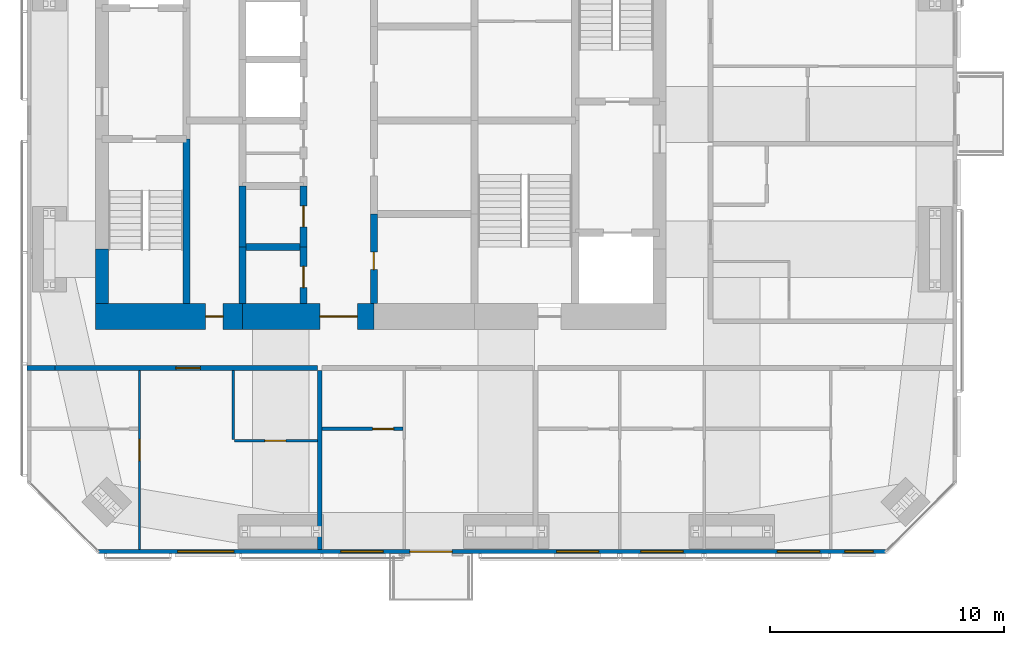
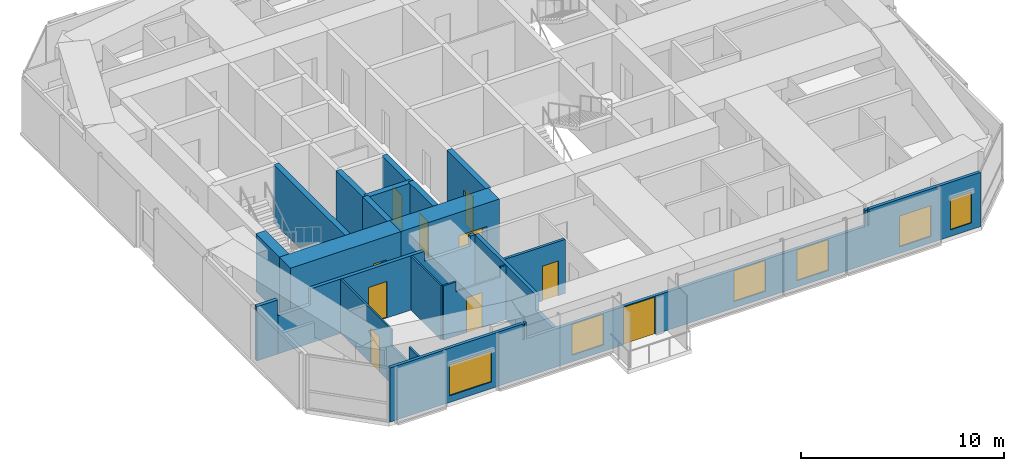
# One storey, part 12 of 18: 18 walls, 10 doors, 6 windows, 16 openings.
"""IFC4 building model written with IfcOpenShell, lengths in metres."""

from ifc_helpers import new_model, si_unit, direction, frame, frame_2d, origin, place, context, subcontext, project, spatial, polyline, rectangle, outline, extrude, material, layer, layer_set, constituent, constituent_set, type_object, element, fill, save


model = new_model("IFC4")

# Units and contexts
model_context = context("Model", 3, precision=1e-05, world=origin(), true_north=direction((0.0, 1.0)))
body_context = subcontext(model_context, "Body", "Model", "MODEL_VIEW")
ifc_project = project(units=[si_unit("LENGTHUNIT", "METRE"), si_unit("AREAUNIT", "SQUARE_METRE"), si_unit("VOLUMEUNIT", "CUBIC_METRE"), si_unit("PLANEANGLEUNIT", "RADIAN"), si_unit("MASSUNIT", "GRAM", prefix="KILO")], contexts=[model_context])

# Site, building, storey
site_placement = place(None, origin())
site = spatial("IfcSite", under=ifc_project, at=site_placement, CompositionType="ELEMENT")
building_placement = place(site_placement, origin())
building = spatial("IfcBuilding", under=site, at=building_placement, Name="Jalousie Tower", CompositionType="ELEMENT")
storey_placement = place(building_placement, frame((0.0, 0.0, 228.449951171875)))
storey = spatial("IfcBuildingStorey", under=building, at=storey_placement, Name="L62", CompositionType="ELEMENT", Elevation=228.449951171875)

# Wall, opening, door
ifc_material_1 = material(Name="Concrete block ASTM C90", Category="concrete")
ifc_constituent_1 = constituent(ifc_material_1, Name="Body")
ifc_material_2 = material(Name="Render")
ifc_constituent_2 = constituent(ifc_material_2, Name="Finish")
ifc_constituent_set_1 = constituent_set(constituents=[ifc_constituent_1, ifc_constituent_2])
wall_type_1 = type_object("IfcWallType", Name="BATHROOM WALL 150", PredefinedType="PLUMBINGWALL", material=ifc_constituent_set_1)
wall_1_placement = place(storey_placement, frame((29.39990234375, 5.324951171875, 0.0), z_axis=(0.0, 0.0, 1.0), x_axis=(1.0, 0.0, 0.0)))
wall_1 = element("IfcWall", 1, at=wall_1_placement, inside=storey, type_object=wall_type_1, Name="Bathroom Wall 150 L62", PredefinedType="PLUMBINGWALL", context=body_context, shape_type="SweptSolid", body=[
    extrude(rectangle(XDim=3.4501953125, YDim=0.14990234375, at=frame_2d((1.72509765625, 0.0))), origin(), (0.0, 0.0, 1.0), 3.260009765625),
])
opening_1_placement = place(wall_1_placement, frame((2.14990234375, 0.0, 0.0)))
opening_1 = element("IfcOpeningElement", 2, at=opening_1_placement, cuts=wall_1, Name="Opening D3", PredefinedType="OPENING", context=body_context, shape_type="SweptSolid", body=[
    extrude(rectangle(XDim=0.89990234375, YDim=2.10009765625, at=frame_2d((0.449951171875, 1.050048828125))), frame((0.0, 0.0849609375, 0.0), z_axis=(0.0, -1.0, 0.0), x_axis=(1.0, 0.0, 0.0)), (0.0, 0.0, 1.0), 0.169921875),
])
ifc_material_3 = material(Name="Timber door", Category="wood")
door_type_1 = type_object("IfcDoorType", Name="BATHROOM DOOR 900", OperationType="SINGLE_SWING_LEFT", PredefinedType="DOOR", material=ifc_material_3)
door_1_placement = place(opening_1_placement, origin())
door_1 = element("IfcDoor", 3, at=door_1_placement, inside=storey, type_object=door_type_1, Name="Apartment 6202 bedroom 1 bathroom door", OperationType="SINGLE_SWING_RIGHT", OverallHeight=2.10009765625, OverallWidth=0.89990234375, PredefinedType="DOOR", context=body_context, shape_type="SweptSolid", body=[
    extrude(rectangle(XDim=0.89990234375, YDim=2.10009765625, at=frame_2d((0.449951171875, 1.050048828125))), frame((0.0, 0.02490234375, 0.0), z_axis=(0.0, -1.0, 0.0), x_axis=(1.0, 0.0, 0.0)), (0.0, 0.0, 1.0), 0.050048828125),
])
fill(opening_1, door_1)

ifc_material_4 = material(Name="Concrete f'c 120 MPa", Category="concrete")
ifc_layer_1 = layer(ifc_material_4, 1.10009765625)
ifc_layer_set_1 = layer_set([ifc_layer_1], Name="Concrete f'c 120 MPa")
wall_type_2 = type_object("IfcWallType", Name="CORE WALL 1100", PredefinedType="SHEAR", material=ifc_layer_set_1)
wall_2_placement = place(storey_placement, frame((19.72509765625, 10.125, 0.0), z_axis=(0.0, 0.0, 1.0), x_axis=(1.0, 0.0, 0.0)))
wall_2 = element("IfcWall", 4, at=wall_2_placement, inside=storey, type_object=wall_type_2, Name="Core wall SA L62", PredefinedType="SHEAR", context=body_context, shape_type="SweptSolid", body=[
    extrude(rectangle(XDim=6.27490234375, YDim=1.10009765625, at=frame_2d((3.137451171875, 0.0))), origin(), (0.0, 0.0, 1.0), 3.5),
])
opening_2_placement = place(wall_2_placement, frame((4.699951171875, 0.0, 0.0)))
opening_2 = element("IfcOpeningElement", 5, at=opening_2_placement, cuts=wall_2, Name="Opening D16", PredefinedType="OPENING", context=body_context, shape_type="SweptSolid", body=[
    extrude(rectangle(XDim=0.75, YDim=2.10009765625, at=frame_2d((0.375, 1.050048828125))), frame((0.0, 0.56005859375, 0.0), z_axis=(0.0, -1.0, 0.0), x_axis=(1.0, 0.0, 0.0)), (0.0, 0.0, 1.0), 1.1201171875),
])
ifc_material_5 = material(Name="Steel fire door", Category="steel")
door_type_2 = type_object("IfcDoorType", Name="RISER DOOR 750", OperationType="SINGLE_SWING_LEFT", PredefinedType="DOOR", material=ifc_material_5)
door_2_placement = place(opening_2_placement, origin())
door_2 = element("IfcDoor", 6, at=door_2_placement, inside=storey, type_object=door_type_2, Name="South riser door", OperationType="SINGLE_SWING_RIGHT", OverallHeight=2.10009765625, OverallWidth=0.75, PredefinedType="DOOR", context=body_context, shape_type="SweptSolid", body=[
    extrude(rectangle(XDim=0.75, YDim=2.10009765625, at=frame_2d((0.375, 1.050048828125))), frame((0.0, 0.02490234375, 0.0), z_axis=(0.0, -1.0, 0.0), x_axis=(1.0, 0.0, 0.0)), (0.0, 0.0, 1.0), 0.050048828125),
])
fill(opening_2, door_2)

wall_3_placement = place(storey_placement, frame((26.0, 10.125, 0.0), z_axis=(0.0, 0.0, 1.0), x_axis=(1.0, 0.0, 0.0)))
wall_3 = element("IfcWall", 7, at=wall_3_placement, inside=storey, type_object=wall_type_2, Name="Core wall SB L62", PredefinedType="SHEAR", context=body_context, shape_type="SweptSolid", body=[
    extrude(rectangle(XDim=5.60009765625, YDim=1.10009765625, at=frame_2d((2.800048828125, 0.0))), origin(), (0.0, 0.0, 1.0), 3.5),
])
opening_3_placement = place(wall_3_placement, frame((3.300048828125, 0.0, 0.0)))
opening_3 = element("IfcOpeningElement", 8, at=opening_3_placement, cuts=wall_3, Name="Opening D15", PredefinedType="OPENING", context=body_context, shape_type="SweptSolid", body=[
    extrude(rectangle(XDim=1.60009765625, YDim=2.10009765625, at=frame_2d((0.800048828125, 1.050048828125))), frame((0.0, 0.56005859375, 0.0), z_axis=(0.0, -1.0, 0.0), x_axis=(1.0, 0.0, 0.0)), (0.0, 0.0, 1.0), 1.1201171875),
])
ifc_material_6 = material(Name="Steel fire door", Category="steel")
door_type_3 = type_object("IfcDoorType", Name="LIFT LOBBY DOOR 1600", OperationType="DOUBLE_DOOR_SINGLE_SWING", PredefinedType="DOOR", material=ifc_material_6)
door_3_placement = place(opening_3_placement, origin())
door_3 = element("IfcDoor", 9, at=door_3_placement, inside=storey, type_object=door_type_3, Name="Lift lobby south door", OperationType="DOUBLE_DOOR_SINGLE_SWING", OverallHeight=2.10009765625, OverallWidth=1.60009765625, PredefinedType="DOOR", context=body_context, shape_type="SweptSolid", body=[
    extrude(rectangle(XDim=1.60009765625, YDim=2.10009765625, at=frame_2d((0.800048828125, 1.050048828125))), frame((0.0, 0.02490234375, 0.0), z_axis=(0.0, -1.0, 0.0), x_axis=(1.0, 0.0, 0.0)), (0.0, 0.0, 1.0), 0.050048828125),
])
fill(opening_3, door_3)

# Walls
ifc_material_7 = material(Name="Concrete f'c 120 MPa", Category="concrete")
ifc_layer_2 = layer(ifc_material_7, 0.300048828125)
ifc_layer_set_2 = layer_set([ifc_layer_2], Name="Concrete f'c 120 MPa")
wall_type_3 = type_object("IfcWallType", Name="CORE WALL 300", PredefinedType="SHEAR", material=ifc_layer_set_2)
wall_4_placement = place(storey_placement, frame((23.60009765625, 10.675048828125, 0.0), z_axis=(0.0, 0.0, 1.0), x_axis=(0.0, 1.0, 0.0)))
element("IfcWall", 10, at=wall_4_placement, inside=storey, type_object=wall_type_3, Name="Core wall X23.6A L62", PredefinedType="SHEAR", context=body_context, shape_type="SweptSolid", body=[
    extrude(rectangle(XDim=7.02490234375, YDim=0.300048828125, at=frame_2d((3.512451171875, 0.0))), origin(), (0.0, 0.0, 1.0), 3.5),
])
wall_5_placement = place(storey_placement, frame((26.0, 10.675048828125, 0.0), z_axis=(0.0, 0.0, 1.0), x_axis=(0.0, 1.0, 0.0)))
element("IfcWall", 11, at=wall_5_placement, inside=storey, type_object=wall_type_3, Name="Core wall X26A L62", PredefinedType="SHEAR", context=body_context, shape_type="SweptSolid", body=[
    extrude(rectangle(XDim=2.425048828125, YDim=0.300048828125, at=frame_2d((1.21240234375, 0.0))), origin(), (0.0, 0.0, 1.0), 3.5),
])
wall_6_placement = place(storey_placement, frame((26.0, 13.10009765625, 0.0), z_axis=(0.0, 0.0, 1.0), x_axis=(0.0, 1.0, 0.0)))
element("IfcWall", 12, at=wall_6_placement, inside=storey, type_object=wall_type_3, Name="Core wall X26B L62", PredefinedType="SHEAR", context=body_context, shape_type="SweptSolid", body=[
    extrude(rectangle(XDim=2.599853515625, YDim=0.300048828125, at=frame_2d((1.2998046875, 0.0))), origin(), (0.0, 0.0, 1.0), 3.5),
])

# Wall, opening, door
wall_7_placement = place(storey_placement, frame((28.60009765625, 10.675048828125, 0.0), z_axis=(0.0, 0.0, 1.0), x_axis=(0.0, 1.0, 0.0)))
wall_7 = element("IfcWall", 13, at=wall_7_placement, inside=storey, type_object=wall_type_3, Name="Core wall X28.6A L62", PredefinedType="SHEAR", context=body_context, shape_type="SweptSolid", body=[
    extrude(rectangle(XDim=2.425048828125, YDim=0.300048828125, at=frame_2d((1.21240234375, 0.0))), origin(), (0.0, 0.0, 1.0), 3.5),
])
opening_4_placement = place(wall_7_placement, frame((0.6875, 0.0, 0.0)))
opening_4 = element("IfcOpeningElement", 14, at=opening_4_placement, cuts=wall_7, Name="Opening D24", PredefinedType="OPENING", context=body_context, shape_type="SweptSolid", body=[
    extrude(rectangle(XDim=0.89990234375, YDim=2.10009765625, at=frame_2d((0.449951171875, 1.050048828125))), frame((0.0, 0.159912109375, 0.0), z_axis=(0.0, -1.0, 0.0), x_axis=(1.0, 0.0, 0.0)), (0.0, 0.0, 1.0), 0.320068359375),
])
ifc_material_8 = material(Name="Steel fire door", Category="steel")
door_type_4 = type_object("IfcDoorType", Name="CORE ROOM DOOR 900", OperationType="SINGLE_SWING_LEFT", PredefinedType="DOOR", material=ifc_material_8)
door_4_placement = place(opening_4_placement, origin())
door_4 = element("IfcDoor", 15, at=door_4_placement, inside=storey, type_object=door_type_4, Name="IT room door", OperationType="SINGLE_SWING_RIGHT", OverallHeight=2.10009765625, OverallWidth=0.89990234375, PredefinedType="DOOR", context=body_context, shape_type="SweptSolid", body=[
    extrude(rectangle(XDim=0.89990234375, YDim=2.10009765625, at=frame_2d((0.449951171875, 1.050048828125))), frame((0.0, 0.02490234375, 0.0), z_axis=(0.0, -1.0, 0.0), x_axis=(1.0, 0.0, 0.0)), (0.0, 0.0, 1.0), 0.050048828125),
])
fill(opening_4, door_4)

wall_8_placement = place(storey_placement, frame((28.60009765625, 13.10009765625, 0.0), z_axis=(0.0, 0.0, 1.0), x_axis=(0.0, 1.0, 0.0)))
wall_8 = element("IfcWall", 16, at=wall_8_placement, inside=storey, type_object=wall_type_3, Name="Core wall X28.6B L62", PredefinedType="SHEAR", context=body_context, shape_type="SweptSolid", body=[
    extrude(rectangle(XDim=2.599853515625, YDim=0.300048828125, at=frame_2d((1.2998046875, 0.0))), origin(), (0.0, 0.0, 1.0), 3.5),
])
opening_5_placement = place(wall_8_placement, frame((0.85009765625, 0.0, 0.0)))
opening_5 = element("IfcOpeningElement", 17, at=opening_5_placement, cuts=wall_8, Name="Opening D24", PredefinedType="OPENING", context=body_context, shape_type="SweptSolid", body=[
    extrude(rectangle(XDim=0.89990234375, YDim=2.10009765625, at=frame_2d((0.449951171875, 1.050048828125))), frame((0.0, 0.159912109375, 0.0), z_axis=(0.0, -1.0, 0.0), x_axis=(1.0, 0.0, 0.0)), (0.0, 0.0, 1.0), 0.320068359375),
])
door_5_placement = place(opening_5_placement, origin())
door_5 = element("IfcDoor", 18, at=door_5_placement, inside=storey, type_object=door_type_4, Name="Linen store door", OperationType="SINGLE_SWING_RIGHT", OverallHeight=2.10009765625, OverallWidth=0.89990234375, PredefinedType="DOOR", context=body_context, shape_type="SweptSolid", body=[
    extrude(rectangle(XDim=0.89990234375, YDim=2.10009765625, at=frame_2d((0.449951171875, 1.050048828125))), frame((0.0, 0.02490234375, 0.0), z_axis=(0.0, -1.0, 0.0), x_axis=(1.0, 0.0, 0.0)), (0.0, 0.0, 1.0), 0.050048828125),
])
fill(opening_5, door_5)

wall_9_placement = place(storey_placement, frame((31.60009765625, 10.675048828125, 0.0), z_axis=(0.0, 0.0, 1.0), x_axis=(0.0, 1.0, 0.0)))
wall_9 = element("IfcWall", 19, at=wall_9_placement, inside=storey, type_object=wall_type_3, Name="Core wall X31.6A L62", PredefinedType="SHEAR", context=body_context, shape_type="SweptSolid", body=[
    extrude(rectangle(XDim=3.824951171875, YDim=0.300048828125, at=frame_2d((1.91259765625, 0.0))), origin(), (0.0, 0.0, 1.0), 3.5),
])
opening_6_placement = place(wall_9_placement, frame((1.449951171875, 0.0, 0.0)))
opening_6 = element("IfcOpeningElement", 20, at=opening_6_placement, cuts=wall_9, Name="Opening D16", PredefinedType="OPENING", context=body_context, shape_type="SweptSolid", body=[
    extrude(rectangle(XDim=0.75, YDim=2.10009765625, at=frame_2d((0.375, 1.050048828125))), frame((0.0, 0.159912109375, 0.0), z_axis=(0.0, -1.0, 0.0), x_axis=(1.0, 0.0, 0.0)), (0.0, 0.0, 1.0), 0.320068359375),
])
door_6_placement = place(opening_6_placement, frame((0.75, 0.0, 0.0), z_axis=(0.0, 0.0, 1.0), x_axis=(-1.0, 0.0, 0.0)))
door_6 = element("IfcDoor", 21, at=door_6_placement, inside=storey, type_object=door_type_2, Name="Refuse Room door", OperationType="SINGLE_SWING_RIGHT", OverallHeight=2.10009765625, OverallWidth=0.75, PredefinedType="DOOR", context=body_context, shape_type="SweptSolid", body=[
    extrude(rectangle(XDim=0.75, YDim=2.10009765625, at=frame_2d((0.375, 1.050048828125))), frame((0.0, 0.02490234375, 0.0), z_axis=(0.0, -1.0, 0.0), x_axis=(1.0, 0.0, 0.0)), (0.0, 0.0, 1.0), 0.050048828125),
])
fill(opening_6, door_6)

# Walls
wall_10_placement = place(storey_placement, frame((26.0, 13.10009765625, 0.0), z_axis=(0.0, 0.0, 1.0), x_axis=(1.0, 0.0, 0.0)))
element("IfcWall", 22, at=wall_10_placement, inside=storey, type_object=wall_type_3, Name="Core wall Y26-13.1 L62", PredefinedType="SHEAR", context=body_context, shape_type="SweptSolid", body=[
    extrude(rectangle(XDim=2.60009765625, YDim=0.300048828125, at=frame_2d((1.300048828125, 0.0))), origin(), (0.0, 0.0, 1.0), 3.5),
])
ifc_material_9 = material(Name="Concrete f'c 120 MPa", Category="concrete")
ifc_layer_3 = layer(ifc_material_9, 0.550048828125)
ifc_layer_set_3 = layer_set([ifc_layer_3], Name="Concrete f'c 120 MPa")
wall_type_4 = type_object("IfcWallType", Name="CORE WALL 550", PredefinedType="SHEAR", material=ifc_layer_set_3)
wall_11_placement = place(storey_placement, frame((20.0, 13.0, 0.0), z_axis=(0.0, 0.0, 1.0), x_axis=(0.0, -1.0, 0.0)))
element("IfcWall", 23, at=wall_11_placement, inside=storey, type_object=wall_type_4, Name="Core wall WD L62", PredefinedType="SHEAR", context=body_context, shape_type="SweptSolid", body=[
    extrude(rectangle(XDim=2.324951171875, YDim=0.550048828125, at=frame_2d((1.16259765625, 0.0))), origin(), (0.0, 0.0, 1.0), 3.5),
])

# Wall, opening, door
ifc_material_10 = material(Name="Concrete block ASTM C90", Category="concrete")
ifc_constituent_3 = constituent(ifc_material_10, Name="Body")
ifc_material_11 = material(Name="Render")
ifc_constituent_4 = constituent(ifc_material_11, Name="Finish")
ifc_constituent_set_2 = constituent_set(constituents=[ifc_constituent_3, ifc_constituent_4])
wall_type_5 = type_object("IfcWallType", Name="CORRIDOR WALL 200", PredefinedType="PARTITIONING", material=ifc_constituent_set_2)
wall_12_placement = place(storey_placement, frame((18.0, 7.925048828125, 0.0), z_axis=(0.0, 0.0, 1.0), x_axis=(1.0, 0.0, 0.0)))
wall_12 = element("IfcWall", 24, at=wall_12_placement, inside=storey, type_object=wall_type_5, Name="Corridor Wall 200 L62", PredefinedType="PARTITIONING", context=body_context, shape_type="SweptSolid", body=[
    extrude(outline(polyline([(0.0, 0.0), (11.199951171875, 0.0), (11.199951171875, 3.260009765625), (10.93505859375, 3.260009765625), (10.93505859375, 2.66015625), (8.31494140625, 2.66015625), (8.31494140625, 3.260009765625), (1.838623046875, 3.260009765625), (1.838623046875, 2.300048828125), (0.0, 2.300048828125), (0.0, 3.260009765625), (0.0, 0.0)])), frame((0.0, 0.10009765625, 0.0), z_axis=(0.0, -1.0, 0.0), x_axis=(1.0, 0.0, 0.0)), (0.0, 0.0, 1.0), 0.199951171875),
])
opening_7_placement = place(wall_12_placement, frame((5.14990234375, 0.0, 0.0)))
opening_7 = element("IfcOpeningElement", 25, at=opening_7_placement, cuts=wall_12, Name="Opening D1", PredefinedType="OPENING", context=body_context, shape_type="SweptSolid", body=[
    extrude(rectangle(XDim=1.050048828125, YDim=2.199951171875, at=frame_2d((0.52490234375, 1.10009765625))), frame((0.0, 0.10986328125, 0.0), z_axis=(0.0, -1.0, 0.0), x_axis=(1.0, 0.0, 0.0)), (0.0, 0.0, 1.0), 0.219970703125),
])
ifc_material_12 = material(Name="Timber fire door", Category="wood")
door_type_5 = type_object("IfcDoorType", Name="APARTMENT ENTRANCE DOOR 1050", OperationType="SINGLE_SWING_LEFT", PredefinedType="DOOR", material=ifc_material_12)
door_7_placement = place(opening_7_placement, frame((1.050048828125, 0.0, 0.0), z_axis=(0.0, 0.0, 1.0), x_axis=(-1.0, 0.0, 0.0)))
door_7 = element("IfcDoor", 26, at=door_7_placement, inside=storey, type_object=door_type_5, Name="Apartment 6201 entrance", OperationType="SINGLE_SWING_LEFT", OverallHeight=2.199951171875, OverallWidth=1.050048828125, PredefinedType="DOOR", context=body_context, shape_type="SweptSolid", body=[
    extrude(rectangle(XDim=1.050048828125, YDim=2.199951171875, at=frame_2d((0.52490234375, 1.10009765625))), frame((0.0, 0.02490234375, 0.0), z_axis=(0.0, -1.0, 0.0), x_axis=(1.0, 0.0, 0.0)), (0.0, 0.0, 1.0), 0.050048828125),
])
fill(opening_7, door_7)

# Wall, openings, door, windows
ifc_material_13 = material(Name="Concrete f'c 40 MPa", Category="concrete")
ifc_constituent_5 = constituent(ifc_material_13, Name="Body")
ifc_material_14 = material(Name="Render, pastel sky blue")
ifc_constituent_6 = constituent(ifc_material_14, Name="Finish")
ifc_constituent_set_3 = constituent_set(constituents=[ifc_constituent_5, ifc_constituent_6])
wall_type_6 = type_object("IfcWallType", Name="EXTERNAL WALL 175 SKY BLUE RENDER", PredefinedType="SOLIDWALL", material=ifc_constituent_set_3)
wall_13_placement = place(storey_placement, frame((19.851318359375, 0.08740234375, 0.0), z_axis=(0.0, 0.0, 1.0), x_axis=(1.0, 0.0, 0.0)))
wall_13 = element("IfcWall", 27, at=wall_13_placement, inside=storey, type_object=wall_type_6, Name="External Wall 175 Sky Blue Render L62", PredefinedType="SOLIDWALL", context=body_context, shape_type="SweptSolid", body=[
    extrude(outline(polyline([(0.0, 0.0), (33.597412109375, 0.0), (33.597412109375, 3.260009765625), (27.238525390625, 3.260009765625), (27.238525390625, 2.300048828125), (27.155029296875, 2.300048828125), (27.155029296875, 3.260009765625), (27.023681640625, 3.260009765625), (27.023681640625, 2.300048828125), (7.773681640625, 2.300048828125), (7.773681640625, 3.260009765625), (7.642333984375, 3.260009765625), (7.642333984375, 2.300048828125), (7.558837890625, 2.300048828125), (7.558837890625, 3.260009765625), (0.0, 3.260009765625), (0.0, 0.0)])), frame((0.0, 0.08740234375, 0.0), z_axis=(0.0, -1.0, 0.0), x_axis=(1.0, 0.0, 0.0)), (0.0, 0.0, 1.0), 0.175048828125),
])
opening_8_placement = place(wall_13_placement, frame((3.37255859375, 0.0, 0.39990234375)))
opening_8 = element("IfcOpeningElement", 28, at=opening_8_placement, cuts=wall_13, Name="Opening W-LIV185", PredefinedType="OPENING", context=body_context, shape_type="SweptSolid", body=[
    extrude(rectangle(XDim=2.39990234375, YDim=1.85009765625, at=frame_2d((1.199951171875, 0.925048828125))), frame((0.0, 0.097412109375, 0.0), z_axis=(0.0, -1.0, 0.0), x_axis=(1.0, 0.0, 0.0)), (0.0, 0.0, 1.0), 0.195068359375),
])
opening_9_placement = place(wall_13_placement, frame((10.3486328125, 0.0, 0.39990234375)))
opening_9 = element("IfcOpeningElement", 29, at=opening_9_placement, cuts=wall_13, Name="Opening W-BED185", PredefinedType="OPENING", context=body_context, shape_type="SweptSolid", body=[
    extrude(rectangle(XDim=1.800048828125, YDim=1.85009765625, at=frame_2d((0.89990234375, 0.925048828125))), frame((0.0, 0.097412109375, 0.0), z_axis=(0.0, -1.0, 0.0), x_axis=(1.0, 0.0, 0.0)), (0.0, 0.0, 1.0), 0.195068359375),
])
opening_10_placement = place(wall_13_placement, frame((13.288818359375, 0.0, 0.0)))
opening_10 = element("IfcOpeningElement", 30, at=opening_10_placement, cuts=wall_13, Name="Opening D-BAL22", PredefinedType="OPENING", context=body_context, shape_type="SweptSolid", body=[
    extrude(rectangle(XDim=1.800048828125, YDim=2.25, at=frame_2d((0.89990234375, 1.125))), frame((0.0, 0.097412109375, 0.0), z_axis=(0.0, -1.0, 0.0), x_axis=(1.0, 0.0, 0.0)), (0.0, 0.0, 1.0), 0.195068359375),
])
opening_11_placement = place(wall_13_placement, frame((19.548583984375, 0.0, 0.39990234375)))
opening_11 = element("IfcOpeningElement", 31, at=opening_11_placement, cuts=wall_13, Name="Opening W-BED185", PredefinedType="OPENING", context=body_context, shape_type="SweptSolid", body=[
    extrude(rectangle(XDim=1.800048828125, YDim=1.85009765625, at=frame_2d((0.89990234375, 0.925048828125))), frame((0.0, 0.097412109375, 0.0), z_axis=(0.0, -1.0, 0.0), x_axis=(1.0, 0.0, 0.0)), (0.0, 0.0, 1.0), 0.195068359375),
])
opening_12_placement = place(wall_13_placement, frame((23.148681640625, 0.0, 0.39990234375)))
opening_12 = element("IfcOpeningElement", 32, at=opening_12_placement, cuts=wall_13, Name="Opening W-BED185", PredefinedType="OPENING", context=body_context, shape_type="SweptSolid", body=[
    extrude(rectangle(XDim=1.800048828125, YDim=1.85009765625, at=frame_2d((0.89990234375, 0.925048828125))), frame((0.0, 0.097412109375, 0.0), z_axis=(0.0, -1.0, 0.0), x_axis=(1.0, 0.0, 0.0)), (0.0, 0.0, 1.0), 0.195068359375),
])
opening_13_placement = place(wall_13_placement, frame((28.978759765625, 0.0, 0.39990234375)))
opening_13 = element("IfcOpeningElement", 33, at=opening_13_placement, cuts=wall_13, Name="Opening W-BED185", PredefinedType="OPENING", context=body_context, shape_type="SweptSolid", body=[
    extrude(rectangle(XDim=1.800048828125, YDim=1.85009765625, at=frame_2d((0.89990234375, 0.925048828125))), frame((0.0, 0.097412109375, 0.0), z_axis=(0.0, -1.0, 0.0), x_axis=(1.0, 0.0, 0.0)), (0.0, 0.0, 1.0), 0.195068359375),
])
opening_14_placement = place(wall_13_placement, frame((31.861328125, 0.0, 0.39990234375)))
opening_14 = element("IfcOpeningElement", 34, at=opening_14_placement, cuts=wall_13, Name="Opening W-COR185", PredefinedType="OPENING", context=body_context, shape_type="SweptSolid", body=[
    extrude(rectangle(XDim=1.199951171875, YDim=1.85009765625, at=frame_2d((0.60009765625, 0.925048828125))), frame((0.0, 0.097412109375, 0.0), z_axis=(0.0, -1.0, 0.0), x_axis=(1.0, 0.0, 0.0)), (0.0, 0.0, 1.0), 0.195068359375),
])
ifc_material_15 = material(Name="Aluminium frame, impact-rated glazing", Category="aluminium")
door_type_6 = type_object("IfcDoorType", Name="BALCONY DOOR 1800x2250", OperationType="SLIDING_TO_LEFT", PredefinedType="DOOR", material=ifc_material_15)
door_8_placement = place(opening_10_placement, origin())
door_8 = element("IfcDoor", 35, at=door_8_placement, inside=storey, type_object=door_type_6, Name="Apartment 6202 living, dining and kitchen balcony door", OperationType="SLIDING_TO_LEFT", OverallHeight=2.25, OverallWidth=1.800048828125, PredefinedType="DOOR", context=body_context, shape_type="SweptSolid", body=[
    extrude(rectangle(XDim=1.800048828125, YDim=2.25, at=frame_2d((0.89990234375, 1.125))), frame((0.0, 0.02490234375, 0.0), z_axis=(0.0, -1.0, 0.0), x_axis=(1.0, 0.0, 0.0)), (0.0, 0.0, 1.0), 0.050048828125),
])
fill(opening_10, door_8)
ifc_material_16 = material(Name="Aluminium frame, impact-rated glazing", Category="aluminium")
window_type_1 = type_object("IfcWindowType", Name="WINDOW BED 1800x1850", PartitioningType="SINGLE_PANEL", PredefinedType="WINDOW", material=ifc_material_16)
window_1_placement = place(opening_9_placement, origin())
window_1 = element("IfcWindow", 36, at=window_1_placement, inside=storey, type_object=window_type_1, Name="Apartment 6202 bedroom 1 window", OverallHeight=1.85009765625, OverallWidth=1.800048828125, PartitioningType="SINGLE_PANEL", PredefinedType="WINDOW", context=body_context, shape_type="SweptSolid", body=[
    extrude(rectangle(XDim=1.800048828125, YDim=1.85009765625, at=frame_2d((0.89990234375, 0.925048828125))), frame((0.0, 0.030029296875, 0.0), z_axis=(0.0, -1.0, 0.0), x_axis=(1.0, 0.0, 0.0)), (0.0, 0.0, 1.0), 0.06005859375),
])
fill(opening_9, window_1)
window_2_placement = place(opening_11_placement, origin())
window_2 = element("IfcWindow", 37, at=window_2_placement, inside=storey, type_object=window_type_1, Name="Apartment 6203 bedroom 1 window", OverallHeight=1.85009765625, OverallWidth=1.800048828125, PartitioningType="SINGLE_PANEL", PredefinedType="WINDOW", context=body_context, shape_type="SweptSolid", body=[
    extrude(rectangle(XDim=1.800048828125, YDim=1.85009765625, at=frame_2d((0.89990234375, 0.925048828125))), frame((0.0, 0.030029296875, 0.0), z_axis=(0.0, -1.0, 0.0), x_axis=(1.0, 0.0, 0.0)), (0.0, 0.0, 1.0), 0.06005859375),
])
fill(opening_11, window_2)
window_3_placement = place(opening_12_placement, origin())
window_3 = element("IfcWindow", 38, at=window_3_placement, inside=storey, type_object=window_type_1, Name="Apartment 6203 bedroom 2 window", OverallHeight=1.85009765625, OverallWidth=1.800048828125, PartitioningType="SINGLE_PANEL", PredefinedType="WINDOW", context=body_context, shape_type="SweptSolid", body=[
    extrude(rectangle(XDim=1.800048828125, YDim=1.85009765625, at=frame_2d((0.89990234375, 0.925048828125))), frame((0.0, 0.030029296875, 0.0), z_axis=(0.0, -1.0, 0.0), x_axis=(1.0, 0.0, 0.0)), (0.0, 0.0, 1.0), 0.06005859375),
])
fill(opening_12, window_3)
window_4_placement = place(opening_13_placement, origin())
window_4 = element("IfcWindow", 39, at=window_4_placement, inside=storey, type_object=window_type_1, Name="Apartment 6203 bedroom 3 window", OverallHeight=1.85009765625, OverallWidth=1.800048828125, PartitioningType="SINGLE_PANEL", PredefinedType="WINDOW", context=body_context, shape_type="SweptSolid", body=[
    extrude(rectangle(XDim=1.800048828125, YDim=1.85009765625, at=frame_2d((0.89990234375, 0.925048828125))), frame((0.0, 0.030029296875, 0.0), z_axis=(0.0, -1.0, 0.0), x_axis=(1.0, 0.0, 0.0)), (0.0, 0.0, 1.0), 0.06005859375),
])
fill(opening_13, window_4)
ifc_material_17 = material(Name="Aluminium frame, impact-rated glazing", Category="aluminium")
window_type_2 = type_object("IfcWindowType", Name="WINDOW COR 1200x1850", PartitioningType="SINGLE_PANEL", PredefinedType="WINDOW", material=ifc_material_17)
window_5_placement = place(opening_14_placement, origin())
window_5 = element("IfcWindow", 40, at=window_5_placement, inside=storey, type_object=window_type_2, Name="Apartment 6203 living, dining and kitchen window", OverallHeight=1.85009765625, OverallWidth=1.199951171875, PartitioningType="SINGLE_PANEL", PredefinedType="WINDOW", context=body_context, shape_type="SweptSolid", body=[
    extrude(rectangle(XDim=1.199951171875, YDim=1.85009765625, at=frame_2d((0.60009765625, 0.925048828125))), frame((0.0, 0.030029296875, 0.0), z_axis=(0.0, -1.0, 0.0), x_axis=(1.0, 0.0, 0.0)), (0.0, 0.0, 1.0), 0.06005859375),
])
fill(opening_14, window_5)
ifc_material_18 = material(Name="Aluminium frame, impact-rated glazing", Category="aluminium")
window_type_3 = type_object("IfcWindowType", Name="WINDOW LIV 2400x1850", PartitioningType="DOUBLE_PANEL_VERTICAL", PredefinedType="WINDOW", material=ifc_material_18)
window_6_placement = place(opening_8_placement, origin())
window_6 = element("IfcWindow", 41, at=window_6_placement, inside=storey, type_object=window_type_3, Name="Apartment 6201 living and dining room window", OverallHeight=1.85009765625, OverallWidth=2.39990234375, PartitioningType="SINGLE_PANEL", PredefinedType="WINDOW", context=body_context, shape_type="SweptSolid", body=[
    extrude(rectangle(XDim=2.39990234375, YDim=1.85009765625, at=frame_2d((1.199951171875, 0.925048828125))), frame((0.0, 0.030029296875, 0.0), z_axis=(0.0, -1.0, 0.0), x_axis=(1.0, 0.0, 0.0)), (0.0, 0.0, 1.0), 0.06005859375),
])
fill(opening_8, window_6)

# Wall, opening, door
ifc_material_19 = material(Name="Gypsum board", Category="gypsum")
ifc_constituent_7 = constituent(ifc_material_19, Name="Body")
ifc_material_20 = material(Name="Light-gauge steel studs ASTM A653 SS Grade 33", Category="steel")
ifc_constituent_8 = constituent(ifc_material_20, Name="Framing")
ifc_constituent_set_4 = constituent_set(constituents=[ifc_constituent_7, ifc_constituent_8])
wall_type_7 = type_object("IfcWallType", Name="PARTITION 100", PredefinedType="PARTITIONING", material=ifc_constituent_set_4)
wall_14_placement = place(storey_placement, frame((21.60009765625, 0.175048828125, 0.0), z_axis=(0.0, 0.0, 1.0), x_axis=(0.0, 1.0, 0.0)))
wall_14 = element("IfcWall", 42, at=wall_14_placement, inside=storey, type_object=wall_type_7, Name="Partition 100 L62", PredefinedType="PARTITIONING", context=body_context, shape_type="SweptSolid", body=[
    extrude(outline(polyline([(0.0, 0.0), (7.64990234375, 0.0), (7.64990234375, 3.260009765625), (2.668212890625, 3.260009765625), (2.668212890625, 2.300048828125), (0.923828125, 2.300048828125), (0.923828125, 3.260009765625), (0.0, 3.260009765625), (0.0, 0.0)])), frame((0.0, 0.050048828125, 0.0), z_axis=(0.0, -1.0, 0.0), x_axis=(1.0, 0.0, 0.0)), (0.0, 0.0, 1.0), 0.10009765625),
])
opening_15_placement = place(wall_14_placement, frame((3.800048828125, 0.0, 0.0)))
opening_15 = element("IfcOpeningElement", 43, at=opening_15_placement, cuts=wall_14, Name="Opening D2", PredefinedType="OPENING", context=body_context, shape_type="SweptSolid", body=[
    extrude(rectangle(XDim=0.89990234375, YDim=2.10009765625, at=frame_2d((0.449951171875, 1.050048828125))), frame((0.0, 0.06005859375, 0.0), z_axis=(0.0, -1.0, 0.0), x_axis=(1.0, 0.0, 0.0)), (0.0, 0.0, 1.0), 0.1201171875),
])
ifc_material_21 = material(Name="Timber door", Category="wood")
door_type_7 = type_object("IfcDoorType", Name="BEDROOM DOOR 900", OperationType="SINGLE_SWING_LEFT", PredefinedType="DOOR", material=ifc_material_21)
door_9_placement = place(opening_15_placement, origin())
door_9 = element("IfcDoor", 44, at=door_9_placement, inside=storey, type_object=door_type_7, Name="Apartment 6201 bedroom 1 door", OperationType="SINGLE_SWING_RIGHT", OverallHeight=2.10009765625, OverallWidth=0.89990234375, PredefinedType="DOOR", context=body_context, shape_type="SweptSolid", body=[
    extrude(rectangle(XDim=0.89990234375, YDim=2.10009765625, at=frame_2d((0.449951171875, 1.050048828125))), frame((0.0, 0.02490234375, 0.0), z_axis=(0.0, -1.0, 0.0), x_axis=(1.0, 0.0, 0.0)), (0.0, 0.0, 1.0), 0.050048828125),
])
fill(opening_15, door_9)

wall_15_placement = place(storey_placement, frame((25.64990234375, 4.824951171875, 0.0), z_axis=(0.0, 0.0, 1.0), x_axis=(1.0, 0.0, 0.0)))
wall_15 = element("IfcWall", 45, at=wall_15_placement, inside=storey, type_object=wall_type_7, Name="Partition 100 L62", PredefinedType="PARTITIONING", context=body_context, shape_type="SweptSolid", body=[
    extrude(outline(polyline([(0.0, 0.0), (3.550048828125, 0.0), (3.550048828125, 3.260009765625), (3.235107421875, 3.260009765625), (3.235107421875, 2.66015625), (0.715087890625, 2.66015625), (0.715087890625, 3.260009765625), (0.0, 3.260009765625), (0.0, 0.0)])), frame((0.0, 0.050048828125, 0.0), z_axis=(0.0, -1.0, 0.0), x_axis=(1.0, 0.0, 0.0)), (0.0, 0.0, 1.0), 0.10009765625),
])
opening_16_placement = place(wall_15_placement, frame((1.300048828125, 0.0, 0.0)))
opening_16 = element("IfcOpeningElement", 46, at=opening_16_placement, cuts=wall_15, Name="Opening D7", PredefinedType="OPENING", context=body_context, shape_type="SweptSolid", body=[
    extrude(rectangle(XDim=0.89990234375, YDim=2.10009765625, at=frame_2d((0.449951171875, 1.050048828125))), frame((0.0, 0.06005859375, 0.0), z_axis=(0.0, -1.0, 0.0), x_axis=(1.0, 0.0, 0.0)), (0.0, 0.0, 1.0), 0.1201171875),
])
ifc_material_22 = material(Name="Timber door", Category="wood")
door_type_8 = type_object("IfcDoorType", Name="INTERNAL DOOR 900", OperationType="SINGLE_SWING_LEFT", PredefinedType="DOOR", material=ifc_material_22)
door_10_placement = place(opening_16_placement, frame((0.89990234375, 0.0, 0.0), z_axis=(0.0, 0.0, 1.0), x_axis=(-1.0, 0.0, 0.0)))
door_10 = element("IfcDoor", 47, at=door_10_placement, inside=storey, type_object=door_type_8, Name="Apartment 6201 kitchen door", OperationType="SINGLE_SWING_LEFT", OverallHeight=2.10009765625, OverallWidth=0.89990234375, PredefinedType="DOOR", context=body_context, shape_type="SweptSolid", body=[
    extrude(rectangle(XDim=0.89990234375, YDim=2.10009765625, at=frame_2d((0.449951171875, 1.050048828125))), frame((0.0, 0.02490234375, 0.0), z_axis=(0.0, -1.0, 0.0), x_axis=(1.0, 0.0, 0.0)), (0.0, 0.0, 1.0), 0.050048828125),
])
fill(opening_16, door_10)

# Walls
wall_16_placement = place(storey_placement, frame((25.60009765625, 4.875, 0.0), z_axis=(0.0, 0.0, 1.0), x_axis=(0.0, 1.0, 0.0)))
element("IfcWall", 48, at=wall_16_placement, inside=storey, type_object=wall_type_7, Name="Partition 100 L62", PredefinedType="PARTITIONING", context=body_context, shape_type="SweptSolid", body=[
    extrude(rectangle(XDim=2.949951171875, YDim=0.10009765625, at=frame_2d((1.47509765625, 0.0))), origin(), (0.0, 0.0, 1.0), 3.260009765625),
])
ifc_material_23 = material(Name="Concrete block ASTM C90", Category="concrete")
ifc_constituent_9 = constituent(ifc_material_23, Name="Body")
ifc_material_24 = material(Name="Render")
ifc_constituent_10 = constituent(ifc_material_24, Name="Finish")
ifc_constituent_set_5 = constituent_set(constituents=[ifc_constituent_9, ifc_constituent_10])
wall_type_8 = type_object("IfcWallType", Name="PARTY WALL 200", PredefinedType="PARTITIONING", material=ifc_constituent_set_5)
wall_17_placement = place(storey_placement, frame((29.300048828125, 0.175048828125, 0.0), z_axis=(0.0, 0.0, 1.0), x_axis=(0.0, 1.0, 0.0)))
element("IfcWall", 49, at=wall_17_placement, inside=storey, type_object=wall_type_8, Name="Party Wall 200 L62", PredefinedType="PARTITIONING", context=body_context, shape_type="SweptSolid", body=[
    extrude(outline(polyline([(0.0, 0.0), (7.64990234375, 0.0), (7.64990234375, 3.260009765625), (1.68505859375, 3.260009765625), (1.68505859375, 2.300048828125), (0.0, 2.300048828125), (0.0, 3.260009765625), (0.0, 0.0)])), frame((0.0, 0.10009765625, 0.0), z_axis=(0.0, -1.0, 0.0), x_axis=(1.0, 0.0, 0.0)), (0.0, 0.0, 1.0), 0.199951171875),
])
wall_18_placement = place(storey_placement, frame((16.800048828125, 7.925048828125, 0.0), z_axis=(0.0, 0.0, 1.0), x_axis=(1.0, 0.0, 0.0)))
element("IfcWall", 50, at=wall_18_placement, inside=storey, type_object=wall_type_8, Name="Party Wall 200 L62", PredefinedType="PARTITIONING", context=body_context, shape_type="SweptSolid", body=[
    extrude(outline(polyline([(0.0, 0.0), (1.199951171875, 0.0), (1.199951171875, 3.260009765625), (1.199951171875, 2.300048828125), (1.172119140625, 2.300048828125), (1.172119140625, 3.260009765625), (0.0, 3.260009765625), (0.0, 0.0)])), frame((0.0, 0.10009765625, 0.0), z_axis=(0.0, -1.0, 0.0), x_axis=(1.0, 0.0, 0.0)), (0.0, 0.0, 1.0), 0.199951171875),
])

save(model, "model.ifc")
